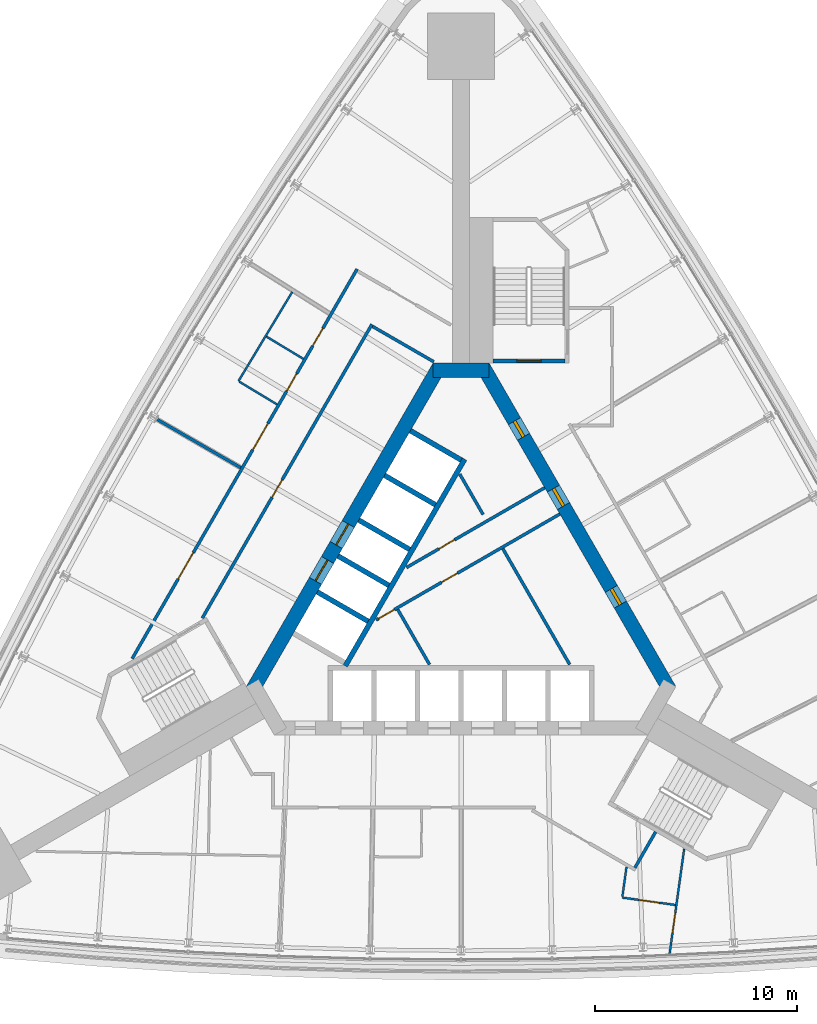
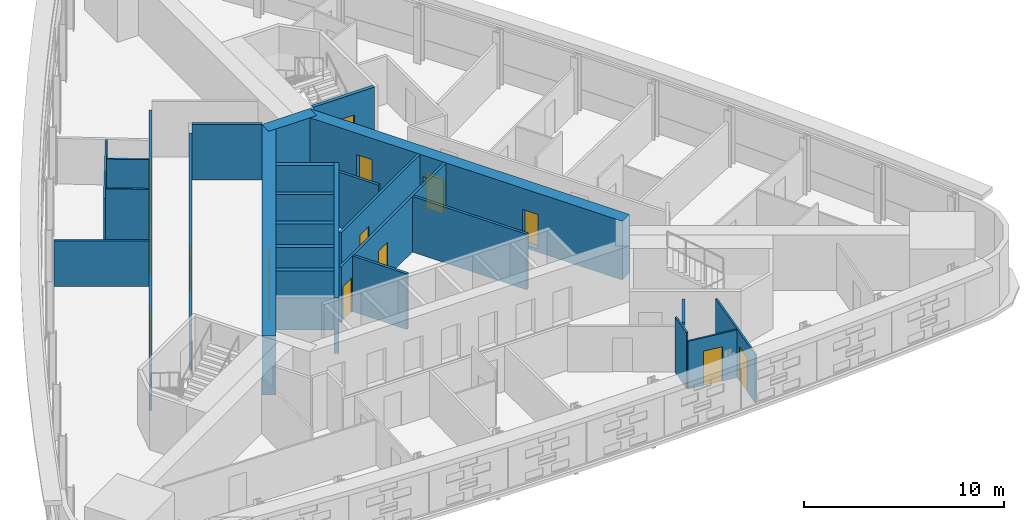
# One storey, part 11 of 15: 26 walls, 16 doors, 16 openings.
"""IFC4 building model written with IfcOpenShell, lengths in metres."""

from ifc_helpers import new_model, si_unit, direction, frame, frame_2d, origin, place, context, subcontext, project, spatial, rectangle, extrude, material, layer, layer_set, type_object, element, fill, save


model = new_model("IFC4")

# Units and contexts
model_context = context("Model", 3, precision=1e-05, world=origin(), true_north=direction((0.0, 1.0)))
body_context = subcontext(model_context, "Body", "Model", "MODEL_VIEW")
ifc_project = project(units=[si_unit("LENGTHUNIT", "METRE"), si_unit("AREAUNIT", "SQUARE_METRE"), si_unit("VOLUMEUNIT", "CUBIC_METRE"), si_unit("PLANEANGLEUNIT", "RADIAN"), si_unit("MASSUNIT", "GRAM", prefix="KILO")], contexts=[model_context])

# Site, building, storey
site_placement = place(None, origin())
site = spatial("IfcSite", under=ifc_project, at=site_placement, CompositionType="ELEMENT")
building_placement = place(site_placement, origin())
building = spatial("IfcBuilding", under=site, at=building_placement, Name="Noor Cloister Tower", CompositionType="ELEMENT")
storey_placement = place(building_placement, frame((0.0, 0.0, 45.60009765625)))
storey = spatial("IfcBuildingStorey", under=building, at=storey_placement, Name="L11", CompositionType="ELEMENT", Elevation=45.60009765625)

# Wall, openings, doors
ifc_material_1 = material(Name="Concrete C30/37", Category="concrete")
ifc_layer_1 = layer(ifc_material_1, 0.14990234375)
ifc_layer_set_1 = layer_set([ifc_layer_1], Name="Core partition 150 C30/37")
wall_type_1 = type_object("IfcWallType", Name="Core partition 150 C30/37", PredefinedType="PARTITIONING", material=ifc_layer_set_1)
wall_1_placement = place(storey_placement, frame((-4.19775390625, -1.244384765625, 0.0), z_axis=(0.0, 0.0, 1.0), x_axis=(0.866020798945, 0.500007975732, 0.0)))
wall_1 = element("IfcWall", 1, at=wall_1_placement, inside=storey, type_object=wall_type_1, Name="Core room partition L11 1", PredefinedType="PARTITIONING", context=body_context, shape_type="SweptSolid", body=[
    extrude(rectangle(XDim=10.485595703125, YDim=0.14990234375, at=frame_2d((5.24267578125, 0.0))), origin(), (0.0, 0.0, 1.0), 3.39990234375),
])
opening_1_placement = place(wall_1_placement, frame((3.735595703125, 0.0, 0.0)))
opening_1 = element("IfcOpeningElement", 2, at=opening_1_placement, cuts=wall_1, Name="Opening L11-904", PredefinedType="OPENING", context=body_context, shape_type="SweptSolid", body=[
    extrude(rectangle(XDim=0.89990234375, YDim=2.10009765625, at=frame_2d((0.449951171875, 1.050048828125))), frame((0.0, 0.0849609375, 0.0), z_axis=(0.0, -1.0, 0.0), x_axis=(1.0, 0.0, 0.0)), (0.0, 0.0, 1.0), 0.169921875),
])
opening_2_placement = place(wall_1_placement, frame((0.143798828125, 0.0, 0.0)))
opening_2 = element("IfcOpeningElement", 3, at=opening_2_placement, cuts=wall_1, Name="Opening L11-906", PredefinedType="OPENING", context=body_context, shape_type="SweptSolid", body=[
    extrude(rectangle(XDim=0.89990234375, YDim=2.10009765625, at=frame_2d((0.449951171875, 1.050048828125))), frame((0.0, 0.0849609375, 0.0), z_axis=(0.0, -1.0, 0.0), x_axis=(1.0, 0.0, 0.0)), (0.0, 0.0, 1.0), 0.169921875),
])
ifc_material_2 = material(Name="Steel", Category="steel")
door_type_1 = type_object("IfcDoorType", Name="Core door 900 x 2100 FD120", OperationType="SINGLE_SWING_LEFT", PredefinedType="DOOR", material=ifc_material_2)
door_1_placement = place(opening_2_placement, origin())
door_1 = element("IfcDoor", 4, at=door_1_placement, inside=storey, type_object=door_type_1, Name="Core door 6 L11", OperationType="SINGLE_SWING_RIGHT", OverallHeight=2.10009765625, OverallWidth=0.89990234375, PredefinedType="DOOR", context=body_context, shape_type="SweptSolid", body=[
    extrude(rectangle(XDim=0.89990234375, YDim=2.10009765625, at=frame_2d((0.449951171875, 1.050048828125))), frame((0.0, 0.02490234375, 0.0), z_axis=(0.0, -1.0, 0.0), x_axis=(1.0, 0.0, 0.0)), (0.0, 0.0, 1.0), 0.050048828125),
])
fill(opening_2, door_1)
ifc_material_3 = material(Name="Steel", Category="steel")
door_type_2 = type_object("IfcDoorType", Name="Core door 900 x 2100 FD60", OperationType="SINGLE_SWING_LEFT", PredefinedType="DOOR", material=ifc_material_3)
door_2_placement = place(opening_1_placement, origin())
door_2 = element("IfcDoor", 5, at=door_2_placement, inside=storey, type_object=door_type_2, Name="Core door 4 L11", OperationType="SINGLE_SWING_RIGHT", OverallHeight=2.10009765625, OverallWidth=0.89990234375, PredefinedType="DOOR", context=body_context, shape_type="SweptSolid", body=[
    extrude(rectangle(XDim=0.89990234375, YDim=2.10009765625, at=frame_2d((0.449951171875, 1.050048828125))), frame((0.0, 0.02490234375, 0.0), z_axis=(0.0, -1.0, 0.0), x_axis=(1.0, 0.0, 0.0)), (0.0, 0.0, 1.0), 0.050048828125),
])
fill(opening_1, door_2)

# Walls
wall_2_placement = place(storey_placement, frame((5.36669921875, -3.439208984375, 0.0), z_axis=(0.0, 0.0, 1.0), x_axis=(-0.499981499682, 0.866036084685, 0.0)))
element("IfcWall", 6, at=wall_2_placement, inside=storey, type_object=wall_type_1, Name="Core room partition L11 2", PredefinedType="PARTITIONING", context=body_context, shape_type="SweptSolid", body=[
    extrude(rectangle(XDim=6.608154296875, YDim=0.14990234375, at=frame_2d((3.30419921875, 0.0))), origin(), (0.0, 0.0, 1.0), 3.39990234375),
])
wall_3_placement = place(storey_placement, frame((-1.561279296875, -3.439208984375, 0.0), z_axis=(0.0, 0.0, 1.0), x_axis=(-0.499989077369, 0.866031709877, 0.0)))
element("IfcWall", 7, at=wall_3_placement, inside=storey, type_object=wall_type_1, Name="Core room partition L11 3", PredefinedType="PARTITIONING", context=body_context, shape_type="SweptSolid", body=[
    extrude(rectangle(XDim=3.14404296875, YDim=0.14990234375, at=frame_2d((1.572021484375, 0.0))), origin(), (0.0, 0.0, 1.0), 3.39990234375),
])

# Wall, opening, door
wall_4_placement = place(storey_placement, frame((-2.69775390625, 1.353759765625, 0.0), z_axis=(0.0, 0.0, 1.0), x_axis=(0.866021157486, 0.500007354732, 0.0)))
wall_4 = element("IfcWall", 8, at=wall_4_placement, inside=storey, type_object=wall_type_1, Name="Core room partition L11 4", PredefinedType="PARTITIONING", context=body_context, shape_type="SweptSolid", body=[
    extrude(rectangle(XDim=7.8876953125, YDim=0.14990234375, at=frame_2d((3.94384765625, 0.0))), origin(), (0.0, 0.0, 1.0), 3.39990234375),
])
opening_3_placement = place(wall_4_placement, frame((1.8447265625, 0.0, 0.0)))
opening_3 = element("IfcOpeningElement", 9, at=opening_3_placement, cuts=wall_4, Name="Opening L11-905", PredefinedType="OPENING", context=body_context, shape_type="SweptSolid", body=[
    extrude(rectangle(XDim=0.89990234375, YDim=2.10009765625, at=frame_2d((0.449951171875, 1.050048828125))), frame((0.0, 0.0849609375, 0.0), z_axis=(0.0, -1.0, 0.0), x_axis=(1.0, 0.0, 0.0)), (0.0, 0.0, 1.0), 0.169921875),
])
door_3_placement = place(opening_3_placement, origin())
door_3 = element("IfcDoor", 10, at=door_3_placement, inside=storey, type_object=door_type_1, Name="Core door 5 L11", OperationType="SINGLE_SWING_LEFT", OverallHeight=2.10009765625, OverallWidth=0.89990234375, PredefinedType="DOOR", context=body_context, shape_type="SweptSolid", body=[
    extrude(rectangle(XDim=0.89990234375, YDim=2.10009765625, at=frame_2d((0.449951171875, 1.050048828125))), frame((0.0, 0.02490234375, 0.0), z_axis=(0.0, -1.0, 0.0), x_axis=(1.0, 0.0, 0.0)), (0.0, 0.0, 1.0), 0.050048828125),
])
fill(opening_3, door_3)

# Wall
wall_5_placement = place(storey_placement, frame((1.087890625, 3.972412109375, 0.0), z_axis=(0.0, 0.0, 1.0), x_axis=(-0.500116913307, 0.865957893332, 0.0)))
element("IfcWall", 11, at=wall_5_placement, inside=storey, type_object=wall_type_1, Name="Core room partition L11 5", PredefinedType="PARTITIONING", context=body_context, shape_type="SweptSolid", body=[
    extrude(rectangle(XDim=2.3037109375, YDim=0.14990234375, at=frame_2d((1.15185546875, 0.0))), origin(), (0.0, 0.0, 1.0), 3.39990234375),
])

# Wall, openings, doors
ifc_material_4 = material(Name="Concrete C80/95", Category="concrete")
ifc_layer_2 = layer(ifc_material_4, 0.699951171875)
ifc_layer_set_2 = layer_set([ifc_layer_2], Name="Core wall 700 C80/95")
wall_type_2 = type_object("IfcWallType", Name="Core wall 700 C80/95", PredefinedType="SHEAR", material=ifc_layer_set_2)
wall_6_placement = place(storey_placement, frame((10.311279296875, -4.703125, -0.2001953125), z_axis=(0.0, 0.0, 1.0), x_axis=(-0.500001446645, 0.866024568562, 0.0)))
wall_6 = element("IfcWall", 12, at=wall_6_placement, inside=storey, type_object=wall_type_2, Name="Core wall L11 3", PredefinedType="SHEAR", context=body_context, shape_type="SweptSolid", body=[
    extrude(rectangle(XDim=18.45751953125, YDim=0.699951171875, at=frame_2d((9.228759765625, 0.0))), origin(), (0.0, 0.0, 1.0), 3.60009765625),
])
opening_4_placement = place(wall_6_placement, frame((10.5, 0.0, 0.199951171875)))
opening_4 = element("IfcOpeningElement", 13, at=opening_4_placement, cuts=wall_6, Name="Opening L11-901", PredefinedType="OPENING", context=body_context, shape_type="SweptSolid", body=[
    extrude(rectangle(XDim=1.0, YDim=2.10009765625, at=frame_2d((0.5, 1.050048828125))), frame((0.0, 0.35986328125, 0.0), z_axis=(0.0, -1.0, 0.0), x_axis=(1.0, 0.0, 0.0)), (0.0, 0.0, 1.0), 0.719970703125),
])
opening_5_placement = place(wall_6_placement, frame((4.876953125, 0.0, 0.199951171875)))
opening_5 = element("IfcOpeningElement", 14, at=opening_5_placement, cuts=wall_6, Name="Opening L11-902", PredefinedType="OPENING", context=body_context, shape_type="SweptSolid", body=[
    extrude(rectangle(XDim=0.89990234375, YDim=2.10009765625, at=frame_2d((0.449951171875, 1.050048828125))), frame((0.0, 0.35986328125, 0.0), z_axis=(0.0, -1.0, 0.0), x_axis=(1.0, 0.0, 0.0)), (0.0, 0.0, 1.0), 0.719970703125),
])
opening_6_placement = place(wall_6_placement, frame((14.45166015625, 0.0, 0.199951171875)))
opening_6 = element("IfcOpeningElement", 15, at=opening_6_placement, cuts=wall_6, Name="Opening L11-903", PredefinedType="OPENING", context=body_context, shape_type="SweptSolid", body=[
    extrude(rectangle(XDim=0.89990234375, YDim=2.10009765625, at=frame_2d((0.449951171875, 1.050048828125))), frame((0.0, 0.35986328125, 0.0), z_axis=(0.0, -1.0, 0.0), x_axis=(1.0, 0.0, 0.0)), (0.0, 0.0, 1.0), 0.719970703125),
])
ifc_material_5 = material(Name="Steel", Category="steel")
door_type_3 = type_object("IfcDoorType", Name="Core door 1000 x 2100 FD120", OperationType="SINGLE_SWING_LEFT", PredefinedType="DOOR", material=ifc_material_5)
door_4_placement = place(opening_4_placement, origin())
door_4 = element("IfcDoor", 16, at=door_4_placement, inside=storey, type_object=door_type_3, Name="Core door 1 L11", OperationType="SINGLE_SWING_LEFT", OverallHeight=2.10009765625, OverallWidth=1.0, PredefinedType="DOOR", context=body_context, shape_type="SweptSolid", body=[
    extrude(rectangle(XDim=1.0, YDim=2.10009765625, at=frame_2d((0.5, 1.050048828125))), frame((0.0, 0.074951171875, 0.0), z_axis=(0.0, -1.0, 0.0), x_axis=(1.0, 0.0, 0.0)), (0.0, 0.0, 1.0), 0.14990234375),
])
fill(opening_4, door_4)
door_5_placement = place(opening_5_placement, origin())
door_5 = element("IfcDoor", 17, at=door_5_placement, inside=storey, type_object=door_type_1, Name="Core door 2 L11", OperationType="SINGLE_SWING_RIGHT", OverallHeight=2.10009765625, OverallWidth=0.89990234375, PredefinedType="DOOR", context=body_context, shape_type="SweptSolid", body=[
    extrude(rectangle(XDim=0.89990234375, YDim=2.10009765625, at=frame_2d((0.449951171875, 1.050048828125))), frame((0.0, 0.074951171875, 0.0), z_axis=(0.0, -1.0, 0.0), x_axis=(1.0, 0.0, 0.0)), (0.0, 0.0, 1.0), 0.14990234375),
])
fill(opening_5, door_5)
door_6_placement = place(opening_6_placement, origin())
door_6 = element("IfcDoor", 18, at=door_6_placement, inside=storey, type_object=door_type_1, Name="Core door 3 L11", OperationType="SINGLE_SWING_LEFT", OverallHeight=2.10009765625, OverallWidth=0.89990234375, PredefinedType="DOOR", context=body_context, shape_type="SweptSolid", body=[
    extrude(rectangle(XDim=0.89990234375, YDim=2.10009765625, at=frame_2d((0.449951171875, 1.050048828125))), frame((0.0, 0.074951171875, 0.0), z_axis=(0.0, -1.0, 0.0), x_axis=(1.0, 0.0, 0.0)), (0.0, 0.0, 1.0), 0.14990234375),
])
fill(opening_6, door_6)

# Wall
wall_7_placement = place(storey_placement, frame((1.3857421875, 11.1064453125, -0.2001953125), z_axis=(0.0, 0.0, 1.0), x_axis=(-1.0, 0.0, 0.0)))
element("IfcWall", 19, at=wall_7_placement, inside=storey, type_object=wall_type_2, Name="Core wall L11 4", PredefinedType="SHEAR", context=body_context, shape_type="SweptSolid", body=[
    extrude(rectangle(XDim=2.771484375, YDim=0.699951171875, at=frame_2d((1.3857421875, 0.0))), origin(), (0.0, 0.0, 1.0), 3.60009765625),
])

# Wall, openings, doors
wall_8_placement = place(storey_placement, frame((-1.08251953125, 11.281494140625, -0.2001953125), z_axis=(0.0, 0.0, 1.0), x_axis=(-0.500001446645, -0.866024568562, 0.0)))
wall_8 = element("IfcWall", 20, at=wall_8_placement, inside=storey, type_object=wall_type_2, Name="Core wall L11 5", PredefinedType="SHEAR", context=body_context, shape_type="SweptSolid", body=[
    extrude(rectangle(XDim=18.45751953125, YDim=0.699951171875, at=frame_2d((9.228759765625, 0.0))), origin(), (0.0, 0.0, 1.0), 3.60009765625),
])
opening_7_placement = place(wall_8_placement, frame((8.978759765625, 0.0, 0.199951171875)))
opening_7 = element("IfcOpeningElement", 21, at=opening_7_placement, cuts=wall_8, Name="Opening L11-FF1", PredefinedType="OPENING", context=body_context, shape_type="SweptSolid", body=[
    extrude(rectangle(XDim=1.199951171875, YDim=2.10009765625, at=frame_2d((0.60009765625, 1.050048828125))), frame((0.0, 0.35986328125, 0.0), z_axis=(0.0, -1.0, 0.0), x_axis=(1.0, 0.0, 0.0)), (0.0, 0.0, 1.0), 0.719970703125),
])
opening_8_placement = place(wall_8_placement, frame((11.02880859375, 0.0, 0.199951171875)))
opening_8 = element("IfcOpeningElement", 22, at=opening_8_placement, cuts=wall_8, Name="Opening L11-FF2", PredefinedType="OPENING", context=body_context, shape_type="SweptSolid", body=[
    extrude(rectangle(XDim=1.199951171875, YDim=2.10009765625, at=frame_2d((0.60009765625, 1.050048828125))), frame((0.0, 0.35986328125, 0.0), z_axis=(0.0, -1.0, 0.0), x_axis=(1.0, 0.0, 0.0)), (0.0, 0.0, 1.0), 0.719970703125),
])
ifc_material_6 = material(Name="Stainless steel", Category="steel")
door_type_4 = type_object("IfcDoorType", Name="Lift landing door 1200 x 2100", OperationType="DOUBLE_DOOR_SLIDING", PredefinedType="DOOR", material=ifc_material_6)
door_7_placement = place(opening_7_placement, origin())
door_7 = element("IfcDoor", 23, at=door_7_placement, inside=storey, type_object=door_type_4, Name="Landing door FF1 L11", OperationType="DOUBLE_DOOR_SLIDING", OverallHeight=2.10009765625, OverallWidth=1.199951171875, PredefinedType="DOOR", context=body_context, shape_type="SweptSolid", body=[
    extrude(rectangle(XDim=1.199951171875, YDim=2.10009765625, at=frame_2d((0.60009765625, 1.050048828125))), frame((0.0, 0.02490234375, 0.0), z_axis=(0.0, -1.0, 0.0), x_axis=(1.0, 0.0, 0.0)), (0.0, 0.0, 1.0), 0.050048828125),
])
fill(opening_7, door_7)
door_8_placement = place(opening_8_placement, origin())
door_8 = element("IfcDoor", 24, at=door_8_placement, inside=storey, type_object=door_type_4, Name="Landing door FF2 L11", OperationType="DOUBLE_DOOR_SLIDING", OverallHeight=2.10009765625, OverallWidth=1.199951171875, PredefinedType="DOOR", context=body_context, shape_type="SweptSolid", body=[
    extrude(rectangle(XDim=1.199951171875, YDim=2.10009765625, at=frame_2d((0.60009765625, 1.050048828125))), frame((0.0, 0.02490234375, 0.0), z_axis=(0.0, -1.0, 0.0), x_axis=(1.0, 0.0, 0.0)), (0.0, 0.0, 1.0), 0.050048828125),
])
fill(opening_8, door_8)

# Wall, opening, door
ifc_material_7 = material(Name="Fire-rated gypsum board partition on steel studs, 150 mm", Category="steel")
ifc_layer_3 = layer(ifc_material_7, 0.14990234375)
ifc_layer_set_3 = layer_set([ifc_layer_3], Name="Fire lobby wall 150")
wall_type_3 = type_object("IfcWallType", Name="Fire lobby wall 150", PredefinedType="PARTITIONING", material=ifc_layer_set_3)
wall_9_placement = place(storey_placement, frame((-4.40673828125, 13.373779296875, 0.0), z_axis=(0.0, 0.0, 1.0), x_axis=(-0.499997181693, -0.866027030928, 0.0)))
wall_9 = element("IfcWall", 25, at=wall_9_placement, inside=storey, type_object=wall_type_3, Name="Fire lobby wall 150 L11 002", PredefinedType="PARTITIONING", context=body_context, shape_type="SweptSolid", body=[
    extrude(rectangle(XDim=16.76953125, YDim=0.14990234375, at=frame_2d((8.384765625, 0.0))), origin(), (0.0, 0.0, 1.0), 2.77783203125),
])
opening_9_placement = place(wall_9_placement, frame((8.878662109375, 0.0, 0.0)))
opening_9 = element("IfcOpeningElement", 26, at=opening_9_placement, cuts=wall_9, Name="Opening L11-005", PredefinedType="OPENING", context=body_context, shape_type="SweptSolid", body=[
    extrude(rectangle(XDim=1.0, YDim=2.10009765625, at=frame_2d((0.5, 1.050048828125))), frame((0.0, 0.0849609375, 0.0), z_axis=(0.0, -1.0, 0.0), x_axis=(1.0, 0.0, 0.0)), (0.0, 0.0, 1.0), 0.169921875),
])
ifc_material_8 = material(Name="Timber door leaf with steel frame", Category="steel")
door_type_5 = type_object("IfcDoorType", Name="Fire lobby door 1000", OperationType="NOTDEFINED", PredefinedType="DOOR", material=ifc_material_8)
door_9_placement = place(opening_9_placement, origin())
door_9 = element("IfcDoor", 27, at=door_9_placement, inside=storey, type_object=door_type_5, Name="Fire lobby door 1000 L11-005", OperationType="SINGLE_SWING_RIGHT", OverallHeight=2.10009765625, OverallWidth=1.0, PredefinedType="DOOR", context=body_context, shape_type="SweptSolid", body=[
    extrude(rectangle(XDim=1.0, YDim=2.10009765625, at=frame_2d((0.5, 1.050048828125))), frame((0.0, 0.02490234375, 0.0), z_axis=(0.0, -1.0, 0.0), x_axis=(1.0, 0.0, 0.0)), (0.0, 0.0, 1.0), 0.050048828125),
])
fill(opening_9, door_9)

# Wall
wall_10_placement = place(storey_placement, frame((-4.379150390625, 13.271484375, 0.0), z_axis=(0.0, 0.0, 1.0), x_axis=(0.866019471182, -0.500010275428, 0.0)))
element("IfcWall", 28, at=wall_10_placement, inside=storey, type_object=wall_type_3, Name="Fire lobby wall 150 L11 008", PredefinedType="PARTITIONING", context=body_context, shape_type="SweptSolid", body=[
    extrude(rectangle(XDim=3.5, YDim=0.14990234375, at=frame_2d((1.75, 0.0))), origin(), (0.0, 0.0, 1.0), 3.39990234375),
])

# Wall, openings, doors
ifc_material_9 = material(Name="Gypsum board partition on steel studs, 150 mm", Category="steel")
ifc_layer_4 = layer(ifc_material_9, 0.14990234375)
ifc_layer_set_4 = layer_set([ifc_layer_4], Name="Flat wall 150")
wall_type_4 = type_object("IfcWallType", Name="Flat wall 150", PredefinedType="PARTITIONING", material=ifc_layer_set_4)
wall_11_placement = place(storey_placement, frame((-16.255615234375, -3.149169921875, 0.0), z_axis=(0.0, 0.0, 1.0), x_axis=(0.499999683919, 0.866025586274, 0.0)))
wall_11 = element("IfcWall", 29, at=wall_11_placement, inside=storey, type_object=wall_type_4, Name="Flat wall 150 L11 001", PredefinedType="PARTITIONING", context=body_context, shape_type="SweptSolid", body=[
    extrude(rectangle(XDim=22.23388671875, YDim=0.14990234375, at=frame_2d((11.116943359375, 0.0))), origin(), (0.0, 0.0, 1.0), 2.77783203125),
])
opening_10_placement = place(wall_11_placement, frame((17.84228515625, 0.0, 0.0)))
opening_10 = element("IfcOpeningElement", 30, at=opening_10_placement, cuts=wall_11, Name="Opening L11-001", PredefinedType="OPENING", context=body_context, shape_type="SweptSolid", body=[
    extrude(rectangle(XDim=1.0, YDim=2.10009765625, at=frame_2d((0.5, 1.050048828125))), frame((0.0, 0.0849609375, 0.0), z_axis=(0.0, -1.0, 0.0), x_axis=(1.0, 0.0, 0.0)), (0.0, 0.0, 1.0), 0.169921875),
])
opening_11_placement = place(wall_11_placement, frame((15.260009765625, 0.0, 0.0)))
opening_11 = element("IfcOpeningElement", 31, at=opening_11_placement, cuts=wall_11, Name="Opening L11-002", PredefinedType="OPENING", context=body_context, shape_type="SweptSolid", body=[
    extrude(rectangle(XDim=1.0, YDim=2.10009765625, at=frame_2d((0.5, 1.050048828125))), frame((0.0, 0.0849609375, 0.0), z_axis=(0.0, -1.0, 0.0), x_axis=(1.0, 0.0, 0.0)), (0.0, 0.0, 1.0), 0.169921875),
])
opening_12_placement = place(wall_11_placement, frame((11.919921875, 0.0, 0.0)))
opening_12 = element("IfcOpeningElement", 32, at=opening_12_placement, cuts=wall_11, Name="Opening L11-003", PredefinedType="OPENING", context=body_context, shape_type="SweptSolid", body=[
    extrude(rectangle(XDim=1.5, YDim=2.10009765625, at=frame_2d((0.75, 1.050048828125))), frame((0.0, 0.0849609375, 0.0), z_axis=(0.0, -1.0, 0.0), x_axis=(1.0, 0.0, 0.0)), (0.0, 0.0, 1.0), 0.169921875),
])
opening_13_placement = place(wall_11_placement, frame((4.546875, 0.0, 0.0)))
opening_13 = element("IfcOpeningElement", 33, at=opening_13_placement, cuts=wall_11, Name="Opening L11-004", PredefinedType="OPENING", context=body_context, shape_type="SweptSolid", body=[
    extrude(rectangle(XDim=1.5, YDim=2.10009765625, at=frame_2d((0.75, 1.050048828125))), frame((0.0, 0.0849609375, 0.0), z_axis=(0.0, -1.0, 0.0), x_axis=(1.0, 0.0, 0.0)), (0.0, 0.0, 1.0), 0.169921875),
])
ifc_material_10 = material(Name="Timber door leaf with steel frame", Category="steel")
door_type_6 = type_object("IfcDoorType", Name="Accessible WC door 1000", OperationType="NOTDEFINED", PredefinedType="DOOR", material=ifc_material_10)
door_10_placement = place(opening_10_placement, origin())
door_10 = element("IfcDoor", 34, at=door_10_placement, inside=storey, type_object=door_type_6, Name="Accessible WC door 1000 L11-001", OperationType="SINGLE_SWING_RIGHT", OverallHeight=2.10009765625, OverallWidth=1.0, PredefinedType="DOOR", context=body_context, shape_type="SweptSolid", body=[
    extrude(rectangle(XDim=1.0, YDim=2.10009765625, at=frame_2d((0.5, 1.050048828125))), frame((0.0, 0.02490234375, 0.0), z_axis=(0.0, -1.0, 0.0), x_axis=(1.0, 0.0, 0.0)), (0.0, 0.0, 1.0), 0.050048828125),
])
fill(opening_10, door_10)
ifc_material_11 = material(Name="Timber door leaf with steel frame", Category="steel")
door_type_7 = type_object("IfcDoorType", Name="Double door 1500 FD60", OperationType="NOTDEFINED", PredefinedType="DOOR", material=ifc_material_11)
door_11_placement = place(opening_12_placement, origin())
door_11 = element("IfcDoor", 35, at=door_11_placement, inside=storey, type_object=door_type_7, Name="Double door 1500 L11-003", OperationType="DOUBLE_DOOR_SINGLE_SWING", OverallHeight=2.10009765625, OverallWidth=1.5, PredefinedType="DOOR", context=body_context, shape_type="SweptSolid", body=[
    extrude(rectangle(XDim=1.5, YDim=2.10009765625, at=frame_2d((0.75, 1.050048828125))), frame((0.0, 0.02490234375, 0.0), z_axis=(0.0, -1.0, 0.0), x_axis=(1.0, 0.0, 0.0)), (0.0, 0.0, 1.0), 0.050048828125),
])
fill(opening_12, door_11)
door_12_placement = place(opening_13_placement, origin())
door_12 = element("IfcDoor", 36, at=door_12_placement, inside=storey, type_object=door_type_7, Name="Double door 1500 L11-004", OperationType="DOUBLE_DOOR_SINGLE_SWING", OverallHeight=2.10009765625, OverallWidth=1.5, PredefinedType="DOOR", context=body_context, shape_type="SweptSolid", body=[
    extrude(rectangle(XDim=1.5, YDim=2.10009765625, at=frame_2d((0.75, 1.050048828125))), frame((0.0, 0.02490234375, 0.0), z_axis=(0.0, -1.0, 0.0), x_axis=(1.0, 0.0, 0.0)), (0.0, 0.0, 1.0), 0.050048828125),
])
fill(opening_13, door_12)
ifc_material_12 = material(Name="Timber door leaf with steel frame", Category="steel")
door_type_8 = type_object("IfcDoorType", Name="Interior door 1000 FD60", OperationType="NOTDEFINED", PredefinedType="DOOR", material=ifc_material_12)
door_13_placement = place(opening_11_placement, origin())
door_13 = element("IfcDoor", 37, at=door_13_placement, inside=storey, type_object=door_type_8, Name="Interior door 1000 L11-002", OperationType="SINGLE_SWING_RIGHT", OverallHeight=2.10009765625, OverallWidth=1.0, PredefinedType="DOOR", context=body_context, shape_type="SweptSolid", body=[
    extrude(rectangle(XDim=1.0, YDim=2.10009765625, at=frame_2d((0.5, 1.050048828125))), frame((0.0, 0.02490234375, 0.0), z_axis=(0.0, -1.0, 0.0), x_axis=(1.0, 0.0, 0.0)), (0.0, 0.0, 1.0), 0.050048828125),
])
fill(opening_11, door_13)

# Walls
wall_12_placement = place(storey_placement, frame((8.588623046875, -13.48681640625, 0.0), z_axis=(0.0, 0.0, 1.0), x_axis=(0.499956128963, 0.866050731258, 0.0)))
element("IfcWall", 38, at=wall_12_placement, inside=storey, type_object=wall_type_4, Name="Flat wall 150 L11 010", PredefinedType="PARTITIONING", context=body_context, shape_type="SweptSolid", body=[
    extrude(rectangle(XDim=2.050048828125, YDim=0.14990234375, at=frame_2d((1.02490234375, 0.0))), origin(), (0.0, 0.0, 1.0), 2.9228515625),
])
wall_13_placement = place(storey_placement, frame((-15.00927734375, 8.66552734375, 0.0), z_axis=(0.0, 0.0, 1.0), x_axis=(0.866028196007, -0.499995163697, 0.0)))
element("IfcWall", 39, at=wall_13_placement, inside=storey, type_object=wall_type_4, Name="Flat wall 150 L11 021", PredefinedType="PARTITIONING", context=body_context, shape_type="SweptSolid", body=[
    extrude(rectangle(XDim=4.7529296875, YDim=0.14990234375, at=frame_2d((2.37646484375, 0.0))), origin(), (0.0, 0.0, 1.0), 2.77783203125),
])
ifc_material_13 = material(Name="Gypsum board partition on steel studs, 100 mm", Category="steel")
ifc_layer_5 = layer(ifc_material_13, 0.10009765625)
ifc_layer_set_5 = layer_set([ifc_layer_5], Name="Partition 100")
wall_type_5 = type_object("IfcWallType", Name="Partition 100", PredefinedType="PARTITIONING", material=ifc_layer_set_5)
wall_14_placement = place(storey_placement, frame((-8.343017578125, 14.976806640625, 0.0), z_axis=(0.0, 0.0, 1.0), x_axis=(-0.516292416674, -0.856412365911, 0.0)))
element("IfcWall", 40, at=wall_14_placement, inside=storey, type_object=wall_type_5, Name="Partition 100 L11 030", PredefinedType="PARTITIONING", context=body_context, shape_type="SweptSolid", body=[
    extrude(rectangle(XDim=5.15234375, YDim=0.10009765625, at=frame_2d((2.576171875, 0.0))), origin(), (0.0, 0.0, 1.0), 2.77783203125),
])

# Wall, opening, door
wall_15_placement = place(storey_placement, frame((11.025634765625, -12.54833984375, 0.0), z_axis=(0.0, 0.0, 1.0), x_axis=(-0.137526474089, -0.990498091328, 0.0)))
wall_15 = element("IfcWall", 41, at=wall_15_placement, inside=storey, type_object=wall_type_5, Name="Partition 100 L11 031", PredefinedType="PARTITIONING", context=body_context, shape_type="SweptSolid", body=[
    extrude(rectangle(XDim=5.240478515625, YDim=0.10009765625, at=frame_2d((2.6201171875, 0.0))), origin(), (0.0, 0.0, 1.0), 2.973876953125),
])
opening_14_placement = place(wall_15_placement, frame((3.1923828125, 0.0, 0.0)))
opening_14 = element("IfcOpeningElement", 42, at=opening_14_placement, cuts=wall_15, Name="Opening L11-023", PredefinedType="OPENING", context=body_context, shape_type="SweptSolid", body=[
    extrude(rectangle(XDim=1.0, YDim=2.10009765625, at=frame_2d((0.5, 1.050048828125))), frame((0.0, 0.06005859375, 0.0), z_axis=(0.0, -1.0, 0.0), x_axis=(1.0, 0.0, 0.0)), (0.0, 0.0, 1.0), 0.1201171875),
])
ifc_material_14 = material(Name="Timber door leaf with steel frame", Category="steel")
door_type_9 = type_object("IfcDoorType", Name="Interior door 1000", OperationType="NOTDEFINED", PredefinedType="DOOR", material=ifc_material_14)
door_14_placement = place(opening_14_placement, origin())
door_14 = element("IfcDoor", 43, at=door_14_placement, inside=storey, type_object=door_type_9, Name="Interior door 1000 L11-023", OperationType="SINGLE_SWING_RIGHT", OverallHeight=2.10009765625, OverallWidth=1.0, PredefinedType="DOOR", context=body_context, shape_type="SweptSolid", body=[
    extrude(rectangle(XDim=1.0, YDim=2.10009765625, at=frame_2d((0.5, 1.050048828125))), frame((0.0, 0.02490234375, 0.0), z_axis=(0.0, -1.0, 0.0), x_axis=(1.0, 0.0, 0.0)), (0.0, 0.0, 1.0), 0.050048828125),
])
fill(opening_14, door_14)

wall_16_placement = place(storey_placement, frame((7.965087890625, -14.95849609375, 0.0), z_axis=(0.0, 0.0, 1.0), x_axis=(0.990494714026, -0.137550796023, 0.0)))
wall_16 = element("IfcWall", 44, at=wall_16_placement, inside=storey, type_object=wall_type_5, Name="Partition 100 L11 034", PredefinedType="PARTITIONING", context=body_context, shape_type="SweptSolid", body=[
    extrude(rectangle(XDim=2.64990234375, YDim=0.10009765625, at=frame_2d((1.324951171875, 0.0))), origin(), (0.0, 0.0, 1.0), 2.9228515625),
])
opening_15_placement = place(wall_16_placement, frame((0.85009765625, 0.0, 0.0)))
opening_15 = element("IfcOpeningElement", 45, at=opening_15_placement, cuts=wall_16, Name="Opening L11-026", PredefinedType="OPENING", context=body_context, shape_type="SweptSolid", body=[
    extrude(rectangle(XDim=1.0, YDim=2.10009765625, at=frame_2d((0.5, 1.050048828125))), frame((0.0, 0.06005859375, 0.0), z_axis=(0.0, -1.0, 0.0), x_axis=(1.0, 0.0, 0.0)), (0.0, 0.0, 1.0), 0.1201171875),
])
door_15_placement = place(opening_15_placement, origin())
door_15 = element("IfcDoor", 46, at=door_15_placement, inside=storey, type_object=door_type_9, Name="Interior door 1000 L11-026", OperationType="SINGLE_SWING_RIGHT", OverallHeight=2.10009765625, OverallWidth=1.0, PredefinedType="DOOR", context=body_context, shape_type="SweptSolid", body=[
    extrude(rectangle(XDim=1.0, YDim=2.10009765625, at=frame_2d((0.5, 1.050048828125))), frame((0.0, 0.02490234375, 0.0), z_axis=(0.0, -1.0, 0.0), x_axis=(1.0, 0.0, 0.0)), (0.0, 0.0, 1.0), 0.050048828125),
])
fill(opening_15, door_15)

# Walls
wall_17_placement = place(storey_placement, frame((-10.960205078125, 10.538330078125, 0.0), z_axis=(0.0, 0.0, 1.0), x_axis=(0.856405167788, -0.516304356544, 0.0)))
element("IfcWall", 47, at=wall_17_placement, inside=storey, type_object=wall_type_5, Name="Partition 100 L11 042", PredefinedType="PARTITIONING", context=body_context, shape_type="SweptSolid", body=[
    extrude(rectangle(XDim=2.182373046875, YDim=0.10009765625, at=frame_2d((1.09130859375, 0.0))), origin(), (0.0, 0.0, 1.0), 3.39990234375),
])
wall_18_placement = place(storey_placement, frame((-9.617919921875, 12.764892578125, 0.0), z_axis=(0.0, 0.0, 1.0), x_axis=(0.856420636577, -0.51627869726, 0.0)))
element("IfcWall", 48, at=wall_18_placement, inside=storey, type_object=wall_type_5, Name="Partition 100 L11 043", PredefinedType="PARTITIONING", context=body_context, shape_type="SweptSolid", body=[
    extrude(rectangle(XDim=2.13330078125, YDim=0.10009765625, at=frame_2d((1.066650390625, 0.0))), origin(), (0.0, 0.0, 1.0), 3.39990234375),
])
wall_19_placement = place(storey_placement, frame((8.175537109375, -13.443115234375, 0.0), z_axis=(0.0, 0.0, 1.0), x_axis=(-0.137586354535, -0.990489775336, 0.0)))
element("IfcWall", 49, at=wall_19_placement, inside=storey, type_object=wall_type_5, Name="Partition 100 L11 045", PredefinedType="PARTITIONING", context=body_context, shape_type="SweptSolid", body=[
    extrude(rectangle(XDim=1.47998046875, YDim=0.10009765625, at=frame_2d((0.739990234375, 0.0))), origin(), (0.0, 0.0, 1.0), 3.39990234375),
])
ifc_material_15 = material(Name="Concrete C80/95", Category="concrete")
ifc_layer_6 = layer(ifc_material_15, 0.25)
ifc_layer_set_6 = layer_set([ifc_layer_6], Name="Shaft wall 250 C80/95")
wall_type_6 = type_object("IfcWallType", Name="Shaft wall 250 C80/95", PredefinedType="PARTITIONING", material=ifc_layer_set_6)
wall_20_placement = place(storey_placement, frame((-2.50634765625, 8.115478515625, -0.2001953125), z_axis=(0.0, 0.0, 1.0), x_axis=(0.865996321171, -0.50005036918, 0.0)))
element("IfcWall", 50, at=wall_20_placement, inside=storey, type_object=wall_type_6, Name="Lift shaft wall L11 NW 1", PredefinedType="PARTITIONING", context=body_context, shape_type="SweptSolid", body=[
    extrude(rectangle(XDim=2.900146484375, YDim=0.25, at=frame_2d((1.4501953125, 0.0))), origin(), (0.0, 0.0, 1.0), 3.60009765625),
])
for number, where, z_axis, x_axis, name in (
    (51, (-3.78125, 5.906982421875, -0.2001953125), (0.0, 0.0, 1.0), (0.866032775405, -0.499987231761, 0.0), "Lift shaft wall L11 NW 2"),
    (52, (-5.056396484375, 3.69873046875, -0.2001953125), (0.0, 0.0, 1.0), (0.866032775405, -0.499987231761, 0.0), "Lift shaft wall L11 NW 3"),
    (53, (-6.081298828125, 1.92333984375, -0.2001953125), (0.0, 0.0, 1.0), (0.866032775405, -0.499987231761, 0.0), "Lift shaft wall L11 NW 4"),
    (54, (-7.106201171875, 0.14794921875, -0.2001953125), (0.0, 0.0, 1.0), (0.866032775405, -0.499987231761, 0.0), "Lift shaft wall L11 NW 5"),
):
    element("IfcWall", number, at=place(storey_placement, frame(where, z_axis=z_axis, x_axis=x_axis)), inside=storey, type_object=wall_type_6, Name=name, PredefinedType="PARTITIONING", context=body_context, shape_type="SweptSolid", body=[
        extrude(rectangle(XDim=2.89990234375, YDim=0.25, at=frame_2d((1.449951171875, 0.0))), origin(), (0.0, 0.0, 1.0), 3.60009765625),
    ])
wall_21_placement = place(storey_placement, frame((0.176025390625, 6.711181640625, 0.0), z_axis=(0.0, 0.0, 1.0), x_axis=(-0.500004227369, -0.866022963098, 0.0)))
element("IfcWall", 55, at=wall_21_placement, inside=storey, type_object=wall_type_6, Name="Lift shaft back wall L11 NW", PredefinedType="PARTITIONING", context=body_context, shape_type="SweptSolid", body=[
    extrude(rectangle(XDim=11.80029296875, YDim=0.25, at=frame_2d((5.900146484375, 0.0))), origin(), (0.0, 0.0, 1.0), 3.39990234375),
])

# Wall, opening, door
ifc_material_16 = material(Name="Concrete C80/95", Category="concrete")
ifc_layer_7 = layer(ifc_material_16, 0.199951171875)
ifc_layer_set_7 = layer_set([ifc_layer_7], Name="Stair enclosure wall 200 C80/95")
wall_type_7 = type_object("IfcWallType", Name="Stair enclosure wall 200 C80/95", PredefinedType="SHEAR", material=ifc_layer_set_7)
wall_22_placement = place(storey_placement, frame((5.135498046875, 11.556396484375, -0.2001953125), z_axis=(0.0, 0.0, 1.0), x_axis=(-1.0, 0.0, 0.0)))
wall_22 = element("IfcWall", 56, at=wall_22_placement, inside=storey, type_object=wall_type_7, Name="Stair enclosure wall ST1 L11 near end", PredefinedType="SHEAR", context=body_context, shape_type="SweptSolid", body=[
    extrude(rectangle(XDim=3.5498046875, YDim=0.199951171875, at=frame_2d((1.77490234375, 0.0))), origin(), (0.0, 0.0, 1.0), 3.60009765625),
])
opening_16_placement = place(wall_22_placement, frame((1.175048828125, 0.0, 0.199951171875)))
opening_16 = element("IfcOpeningElement", 57, at=opening_16_placement, cuts=wall_22, Name="Opening L11-ST1L", PredefinedType="OPENING", context=body_context, shape_type="SweptSolid", body=[
    extrude(rectangle(XDim=1.199951171875, YDim=2.10009765625, at=frame_2d((0.60009765625, 1.050048828125))), frame((0.0, 0.10986328125, 0.0), z_axis=(0.0, -1.0, 0.0), x_axis=(1.0, 0.0, 0.0)), (0.0, 0.0, 1.0), 0.219970703125),
])
ifc_material_17 = material(Name="Steel", Category="steel")
door_type_10 = type_object("IfcDoorType", Name="Stair door 1200 x 2100 FD120", OperationType="SINGLE_SWING_LEFT", PredefinedType="DOOR", material=ifc_material_17)
door_16_placement = place(opening_16_placement, origin())
door_16 = element("IfcDoor", 58, at=door_16_placement, inside=storey, type_object=door_type_10, Name="Stair door ST1 L11", OperationType="SINGLE_SWING_RIGHT", OverallHeight=2.10009765625, OverallWidth=1.199951171875, PredefinedType="DOOR", context=body_context, shape_type="SweptSolid", body=[
    extrude(rectangle(XDim=1.199951171875, YDim=2.10009765625, at=frame_2d((0.60009765625, 1.050048828125))), frame((0.0, 0.02490234375, 0.0), z_axis=(0.0, -1.0, 0.0), x_axis=(1.0, 0.0, 0.0)), (0.0, 0.0, 1.0), 0.050048828125),
])
fill(opening_16, door_16)

save(model, "model.ifc")
